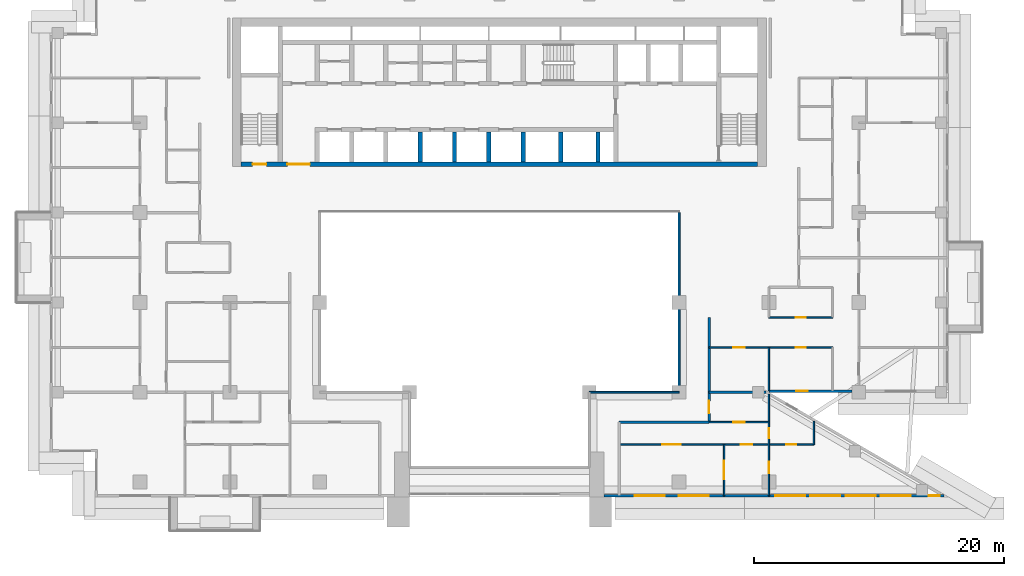
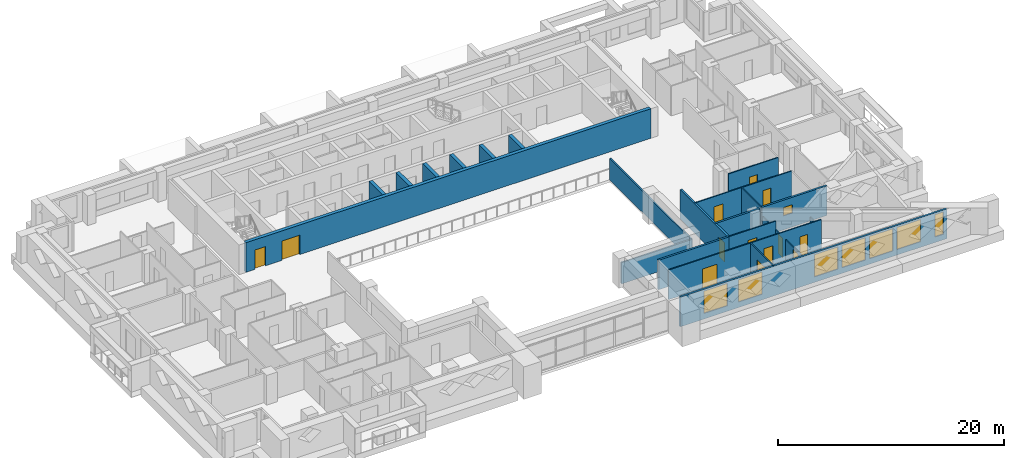
# One storey, part 8 of 19: 22 walls, 13 doors, 8 windows, 21 openings.
"""IFC4 building model written with IfcOpenShell, lengths in metres."""

from ifc_helpers import new_model, si_unit, direction, frame, frame_2d, origin, place, context, subcontext, project, spatial, rectangle, extrude, material, layer, layer_set, type_object, element, fill, save


model = new_model("IFC4")

# Units and contexts
model_context = context("Model", 3, precision=1e-05, world=origin(), true_north=direction((0.0, 1.0)))
body_context = subcontext(model_context, "Body", "Model", "MODEL_VIEW")
ifc_project = project(units=[si_unit("LENGTHUNIT", "METRE"), si_unit("AREAUNIT", "SQUARE_METRE"), si_unit("VOLUMEUNIT", "CUBIC_METRE"), si_unit("PLANEANGLEUNIT", "RADIAN"), si_unit("MASSUNIT", "GRAM", prefix="KILO")], contexts=[model_context])

# Site, building, storey
site_placement = place(None, origin())
site = spatial("IfcSite", under=ifc_project, at=site_placement, CompositionType="ELEMENT")
building_placement = place(site_placement, origin())
building = spatial("IfcBuilding", under=site, at=building_placement, Name="Saffron Iwan Residences", CompositionType="ELEMENT")
storey_placement = place(building_placement, frame((0.0, 0.0, 120.0)))
storey = spatial("IfcBuildingStorey", under=building, at=storey_placement, Name="L31", CompositionType="ELEMENT", Elevation=120.0)

# Walls
ifc_material_1 = material(Name="Fire-rated glazing", Category="glass")
ifc_layer_1 = layer(ifc_material_1, 0.14990234375)
ifc_layer_set_1 = layer_set([ifc_layer_1], Name="Fire-rated glazing")
wall_type_1 = type_object("IfcWallType", Name="Atrium glazed screen 150", PredefinedType="SOLIDWALL", material=ifc_layer_set_1)
wall_1_placement = place(storey_placement, frame((57.60009765625, 48.0, 0.0), z_axis=(0.0, 0.0, 1.0), x_axis=(1.0, 0.0, 0.0)))
element("IfcWall", 1, at=wall_1_placement, inside=storey, type_object=wall_type_1, Name="W-L31-SCREEN-h48-57.6", PredefinedType="SOLIDWALL", context=body_context, shape_type="SweptSolid", body=[
    extrude(rectangle(XDim=7.199951171875, YDim=0.14990234375, at=frame_2d((3.60009765625, 0.0))), origin(), (0.0, 0.0, 1.0), 2.300048828125),
])
wall_2_placement = place(storey_placement, frame((64.800048828125, 48.0, 0.0), z_axis=(0.0, 0.0, 1.0), x_axis=(0.0, 1.0, 0.0)))
element("IfcWall", 2, at=wall_2_placement, inside=storey, type_object=wall_type_1, Name="W-L31-SCREEN-v64.8-48", PredefinedType="SOLIDWALL", context=body_context, shape_type="SweptSolid", body=[
    extrude(rectangle(XDim=14.39990234375, YDim=0.14990234375, at=frame_2d((7.199951171875, 0.0))), origin(), (0.0, 0.0, 1.0), 2.300048828125),
])

# Wall, opening, window
ifc_material_2 = material(Name="Concrete C40/50", Category="concrete")
ifc_layer_2 = layer(ifc_material_2, 0.199951171875)
ifc_layer_set_2 = layer_set([ifc_layer_2], Name="Concrete C40/50")
wall_type_2 = type_object("IfcWallType", Name="EXTERNAL WALL 200", PredefinedType="SOLIDWALL", material=ifc_layer_set_2)
wall_3_placement = place(storey_placement, frame((71.989990234375, 48.10009765625, 0.0), z_axis=(0.0, 0.0, 1.0), x_axis=(1.0, 0.0, 0.0)))
wall_3 = element("IfcWall", 3, at=wall_3_placement, inside=storey, type_object=wall_type_2, Name="External wall L31 F1.0", PredefinedType="SOLIDWALL", context=body_context, shape_type="SweptSolid", body=[
    extrude(rectangle(XDim=6.659912109375, YDim=0.199951171875, at=frame_2d((3.330078125, 0.0))), origin(), (0.0, 0.0, 1.0), 3.199951171875),
])
opening_1_placement = place(wall_3_placement, frame((2.204833984375, 0.0, 1.5)))
opening_1 = element("IfcOpeningElement", 4, at=opening_1_placement, cuts=wall_3, Name="Opening W6", PredefinedType="OPENING", context=body_context, shape_type="SweptSolid", body=[
    extrude(rectangle(XDim=0.89990234375, YDim=0.89990234375, at=frame_2d((0.449951171875, 0.449951171875))), frame((0.0, 0.10986328125, 0.0), z_axis=(0.0, -1.0, 0.0), x_axis=(1.0, 0.0, 0.0)), (0.0, 0.0, 1.0), 0.219970703125),
])
ifc_material_3 = material(Name="Clear glass, laminated double glazed", Category="glass")
window_type_1 = type_object("IfcWindowType", Name="WINDOW 900 x 900 BATH", PartitioningType="SINGLE_PANEL", PredefinedType="WINDOW", material=ifc_material_3)
window_1_placement = place(opening_1_placement, origin())
window_1 = element("IfcWindow", 5, at=window_1_placement, inside=storey, type_object=window_type_1, Name="Window L31 F1.0", OverallHeight=0.89990234375, OverallWidth=0.89990234375, PartitioningType="SINGLE_PANEL", PredefinedType="WINDOW", context=body_context, shape_type="SweptSolid", body=[
    extrude(rectangle(XDim=0.89990234375, YDim=0.89990234375, at=frame_2d((0.449951171875, 0.449951171875))), frame((0.0, 0.030029296875, 0.0), z_axis=(0.0, -1.0, 0.0), x_axis=(1.0, 0.0, 0.0)), (0.0, 0.0, 1.0), 0.06005859375),
])
fill(opening_1, window_1)

# Wall, openings, windows
wall_4_placement = place(storey_placement, frame((58.800048828125, 39.699951171875, 0.0), z_axis=(0.0, 0.0, 1.0), x_axis=(1.0, 0.0, 0.0)))
wall_4 = element("IfcWall", 6, at=wall_4_placement, inside=storey, type_object=wall_type_2, Name="External wall L31 F11.1", PredefinedType="SOLIDWALL", context=body_context, shape_type="SweptSolid", body=[
    extrude(rectangle(XDim=27.22998046875, YDim=0.199951171875, at=frame_2d((13.614990234375, 0.0))), origin(), (0.0, 0.0, 1.0), 3.199951171875),
])
opening_2_placement = place(wall_4_placement, frame((2.433349609375, 0.0, 0.60009765625)))
opening_2 = element("IfcOpeningElement", 7, at=opening_2_placement, cuts=wall_4, Name="Opening W1", PredefinedType="OPENING", context=body_context, shape_type="SweptSolid", body=[
    extrude(rectangle(XDim=2.39990234375, YDim=2.39990234375, at=frame_2d((1.199951171875, 1.199951171875))), frame((0.0, 0.10986328125, 0.0), z_axis=(0.0, -1.0, 0.0), x_axis=(1.0, 0.0, 0.0)), (0.0, 0.0, 1.0), 0.219970703125),
])
opening_3_placement = place(wall_4_placement, frame((5.966796875, 0.0, 0.60009765625)))
opening_3 = element("IfcOpeningElement", 8, at=opening_3_placement, cuts=wall_4, Name="Opening W1", PredefinedType="OPENING", context=body_context, shape_type="SweptSolid", body=[
    extrude(rectangle(XDim=2.39990234375, YDim=2.39990234375, at=frame_2d((1.199951171875, 1.199951171875))), frame((0.0, 0.10986328125, 0.0), z_axis=(0.0, -1.0, 0.0), x_axis=(1.0, 0.0, 0.0)), (0.0, 0.0, 1.0), 0.219970703125),
])
opening_4_placement = place(wall_4_placement, frame((13.715087890625, 0.0, 0.60009765625)))
opening_4 = element("IfcOpeningElement", 9, at=opening_4_placement, cuts=wall_4, Name="Opening W1", PredefinedType="OPENING", context=body_context, shape_type="SweptSolid", body=[
    extrude(rectangle(XDim=2.39990234375, YDim=2.39990234375, at=frame_2d((1.199951171875, 1.199951171875))), frame((0.0, 0.10986328125, 0.0), z_axis=(0.0, -1.0, 0.0), x_axis=(1.0, 0.0, 0.0)), (0.0, 0.0, 1.0), 0.219970703125),
])
opening_5_placement = place(wall_4_placement, frame((16.530517578125, 0.0, 0.60009765625)))
opening_5 = element("IfcOpeningElement", 10, at=opening_5_placement, cuts=wall_4, Name="Opening W1", PredefinedType="OPENING", context=body_context, shape_type="SweptSolid", body=[
    extrude(rectangle(XDim=2.39990234375, YDim=2.39990234375, at=frame_2d((1.199951171875, 1.199951171875))), frame((0.0, 0.10986328125, 0.0), z_axis=(0.0, -1.0, 0.0), x_axis=(1.0, 0.0, 0.0)), (0.0, 0.0, 1.0), 0.219970703125),
])
opening_6_placement = place(wall_4_placement, frame((19.345703125, 0.0, 0.60009765625)))
opening_6 = element("IfcOpeningElement", 11, at=opening_6_placement, cuts=wall_4, Name="Opening W1", PredefinedType="OPENING", context=body_context, shape_type="SweptSolid", body=[
    extrude(rectangle(XDim=2.39990234375, YDim=2.39990234375, at=frame_2d((1.199951171875, 1.199951171875))), frame((0.0, 0.10986328125, 0.0), z_axis=(0.0, -1.0, 0.0), x_axis=(1.0, 0.0, 0.0)), (0.0, 0.0, 1.0), 0.219970703125),
])
opening_7_placement = place(wall_4_placement, frame((22.160888671875, 0.0, 0.60009765625)))
opening_7 = element("IfcOpeningElement", 12, at=opening_7_placement, cuts=wall_4, Name="Opening W1", PredefinedType="OPENING", context=body_context, shape_type="SweptSolid", body=[
    extrude(rectangle(XDim=2.39990234375, YDim=2.39990234375, at=frame_2d((1.199951171875, 1.199951171875))), frame((0.0, 0.10986328125, 0.0), z_axis=(0.0, -1.0, 0.0), x_axis=(1.0, 0.0, 0.0)), (0.0, 0.0, 1.0), 0.219970703125),
])
opening_8_placement = place(wall_4_placement, frame((26.003173828125, 0.0, 0.60009765625)))
opening_8 = element("IfcOpeningElement", 13, at=opening_8_placement, cuts=wall_4, Name="Opening W10", PredefinedType="OPENING", context=body_context, shape_type="SweptSolid", body=[
    extrude(rectangle(XDim=0.89990234375, YDim=2.39990234375, at=frame_2d((0.449951171875, 1.199951171875))), frame((0.0, 0.10986328125, 0.0), z_axis=(0.0, -1.0, 0.0), x_axis=(1.0, 0.0, 0.0)), (0.0, 0.0, 1.0), 0.219970703125),
])
window_type_2 = type_object("IfcWindowType", Name="WINDOW 2400 x 2400", PartitioningType="DOUBLE_PANEL_VERTICAL", PredefinedType="WINDOW", material=ifc_material_3)
window_2_placement = place(opening_2_placement, origin())
window_2 = element("IfcWindow", 14, at=window_2_placement, inside=storey, type_object=window_type_2, Name="Window L31 F11.0", OverallHeight=2.39990234375, OverallWidth=2.39990234375, PartitioningType="DOUBLE_PANEL_VERTICAL", PredefinedType="WINDOW", context=body_context, shape_type="SweptSolid", body=[
    extrude(rectangle(XDim=2.39990234375, YDim=2.39990234375, at=frame_2d((1.199951171875, 1.199951171875))), frame((0.0, 0.030029296875, 0.0), z_axis=(0.0, -1.0, 0.0), x_axis=(1.0, 0.0, 0.0)), (0.0, 0.0, 1.0), 0.06005859375),
])
fill(opening_2, window_2)
window_3_placement = place(opening_3_placement, origin())
window_3 = element("IfcWindow", 15, at=window_3_placement, inside=storey, type_object=window_type_2, Name="Window L31 F11.1", OverallHeight=2.39990234375, OverallWidth=2.39990234375, PartitioningType="DOUBLE_PANEL_VERTICAL", PredefinedType="WINDOW", context=body_context, shape_type="SweptSolid", body=[
    extrude(rectangle(XDim=2.39990234375, YDim=2.39990234375, at=frame_2d((1.199951171875, 1.199951171875))), frame((0.0, 0.030029296875, 0.0), z_axis=(0.0, -1.0, 0.0), x_axis=(1.0, 0.0, 0.0)), (0.0, 0.0, 1.0), 0.06005859375),
])
fill(opening_3, window_3)
window_4_placement = place(opening_4_placement, origin())
window_4 = element("IfcWindow", 16, at=window_4_placement, inside=storey, type_object=window_type_2, Name="Window L31 F11.2", OverallHeight=2.39990234375, OverallWidth=2.39990234375, PartitioningType="DOUBLE_PANEL_VERTICAL", PredefinedType="WINDOW", context=body_context, shape_type="SweptSolid", body=[
    extrude(rectangle(XDim=2.39990234375, YDim=2.39990234375, at=frame_2d((1.199951171875, 1.199951171875))), frame((0.0, 0.030029296875, 0.0), z_axis=(0.0, -1.0, 0.0), x_axis=(1.0, 0.0, 0.0)), (0.0, 0.0, 1.0), 0.06005859375),
])
fill(opening_4, window_4)
window_5_placement = place(opening_5_placement, origin())
window_5 = element("IfcWindow", 17, at=window_5_placement, inside=storey, type_object=window_type_2, Name="Window L31 F11.3", OverallHeight=2.39990234375, OverallWidth=2.39990234375, PartitioningType="DOUBLE_PANEL_VERTICAL", PredefinedType="WINDOW", context=body_context, shape_type="SweptSolid", body=[
    extrude(rectangle(XDim=2.39990234375, YDim=2.39990234375, at=frame_2d((1.199951171875, 1.199951171875))), frame((0.0, 0.030029296875, 0.0), z_axis=(0.0, -1.0, 0.0), x_axis=(1.0, 0.0, 0.0)), (0.0, 0.0, 1.0), 0.06005859375),
])
fill(opening_5, window_5)
window_6_placement = place(opening_6_placement, origin())
window_6 = element("IfcWindow", 18, at=window_6_placement, inside=storey, type_object=window_type_2, Name="Window L31 F11.4", OverallHeight=2.39990234375, OverallWidth=2.39990234375, PartitioningType="DOUBLE_PANEL_VERTICAL", PredefinedType="WINDOW", context=body_context, shape_type="SweptSolid", body=[
    extrude(rectangle(XDim=2.39990234375, YDim=2.39990234375, at=frame_2d((1.199951171875, 1.199951171875))), frame((0.0, 0.030029296875, 0.0), z_axis=(0.0, -1.0, 0.0), x_axis=(1.0, 0.0, 0.0)), (0.0, 0.0, 1.0), 0.06005859375),
])
fill(opening_6, window_6)
window_7_placement = place(opening_7_placement, origin())
window_7 = element("IfcWindow", 19, at=window_7_placement, inside=storey, type_object=window_type_2, Name="Window L31 F11.5", OverallHeight=2.39990234375, OverallWidth=2.39990234375, PartitioningType="DOUBLE_PANEL_VERTICAL", PredefinedType="WINDOW", context=body_context, shape_type="SweptSolid", body=[
    extrude(rectangle(XDim=2.39990234375, YDim=2.39990234375, at=frame_2d((1.199951171875, 1.199951171875))), frame((0.0, 0.030029296875, 0.0), z_axis=(0.0, -1.0, 0.0), x_axis=(1.0, 0.0, 0.0)), (0.0, 0.0, 1.0), 0.06005859375),
])
fill(opening_7, window_7)
window_type_3 = type_object("IfcWindowType", Name="WINDOW 900 x 2400", PartitioningType="SINGLE_PANEL", PredefinedType="WINDOW", material=ifc_material_3)
window_8_placement = place(opening_8_placement, origin())
window_8 = element("IfcWindow", 20, at=window_8_placement, inside=storey, type_object=window_type_3, Name="Window L31 F11.6", OverallHeight=2.39990234375, OverallWidth=0.89990234375, PartitioningType="SINGLE_PANEL", PredefinedType="WINDOW", context=body_context, shape_type="SweptSolid", body=[
    extrude(rectangle(XDim=0.89990234375, YDim=2.39990234375, at=frame_2d((0.449951171875, 1.199951171875))), frame((0.0, 0.030029296875, 0.0), z_axis=(0.0, -1.0, 0.0), x_axis=(1.0, 0.0, 0.0)), (0.0, 0.0, 1.0), 0.06005859375),
])
fill(opening_8, window_8)

# Wall
ifc_material_4 = material(Name="Fire-rated gypsum board wall")
ifc_layer_3 = layer(ifc_material_4, 0.199951171875)
ifc_layer_set_3 = layer_set([ifc_layer_3], Name="Fire-rated gypsum board wall")
wall_type_3 = type_object("IfcWallType", Name="Flat demising wall 200", PredefinedType="SOLIDWALL", material=ifc_layer_set_3)
wall_5_placement = place(storey_placement, frame((67.199951171875, 48.0, 0.0), z_axis=(0.0, 0.0, 1.0), x_axis=(1.0, 0.0, 0.0)))
element("IfcWall", 21, at=wall_5_placement, inside=storey, type_object=wall_type_3, Name="W-L31-DEMISE-h48-67.2", PredefinedType="SOLIDWALL", context=body_context, shape_type="SweptSolid", body=[
    extrude(rectangle(XDim=4.552001953125, YDim=0.199951171875, at=frame_2d((2.27587890625, 0.0))), origin(), (0.0, 0.0, 1.0), 3.199951171875),
])

# Wall, openings, doors
ifc_material_5 = material(Name="Gypsum board partition")
ifc_layer_4 = layer(ifc_material_5, 0.1201171875)
ifc_layer_set_4 = layer_set([ifc_layer_4], Name="Gypsum board partition")
wall_type_4 = type_object("IfcWallType", Name="Flat partition 120", PredefinedType="PARTITIONING", material=ifc_layer_set_4)
wall_6_placement = place(storey_placement, frame((60.0, 43.800048828125, 0.0), z_axis=(0.0, 0.0, 1.0), x_axis=(1.0, 0.0, 0.0)))
wall_6 = element("IfcWall", 22, at=wall_6_placement, inside=storey, type_object=wall_type_4, Name="W-L31-PART-h43.8-60", PredefinedType="PARTITIONING", context=body_context, shape_type="SweptSolid", body=[
    extrude(rectangle(XDim=15.60009765625, YDim=0.1201171875, at=frame_2d((7.800048828125, 0.0))), origin(), (0.0, 0.0, 1.0), 3.199951171875),
])
opening_9_placement = place(wall_6_placement, frame((9.75, 0.0, 0.0)))
opening_9 = element("IfcOpeningElement", 23, at=opening_9_placement, cuts=wall_6, Name="Opening FD2", PredefinedType="OPENING", context=body_context, shape_type="SweptSolid", body=[
    extrude(rectangle(XDim=0.89990234375, YDim=2.10009765625, at=frame_2d((0.449951171875, 1.050048828125))), frame((0.0, 0.070068359375, 0.0), z_axis=(0.0, -1.0, 0.0), x_axis=(1.0, 0.0, 0.0)), (0.0, 0.0, 1.0), 0.14013671875),
])
opening_10_placement = place(wall_6_placement, frame((3.449951171875, 0.0, 0.0)))
opening_10 = element("IfcOpeningElement", 24, at=opening_10_placement, cuts=wall_6, Name="Opening FD4", PredefinedType="OPENING", context=body_context, shape_type="SweptSolid", body=[
    extrude(rectangle(XDim=1.5, YDim=2.10009765625, at=frame_2d((0.75, 1.050048828125))), frame((0.0, 0.070068359375, 0.0), z_axis=(0.0, -1.0, 0.0), x_axis=(1.0, 0.0, 0.0)), (0.0, 0.0, 1.0), 0.14013671875),
])
opening_11_placement = place(wall_6_placement, frame((13.39990234375, 0.0, 0.0)))
opening_11 = element("IfcOpeningElement", 25, at=opening_11_placement, cuts=wall_6, Name="Opening FD3", PredefinedType="OPENING", context=body_context, shape_type="SweptSolid", body=[
    extrude(rectangle(XDim=0.800048828125, YDim=2.10009765625, at=frame_2d((0.39990234375, 1.050048828125))), frame((0.0, 0.070068359375, 0.0), z_axis=(0.0, -1.0, 0.0), x_axis=(1.0, 0.0, 0.0)), (0.0, 0.0, 1.0), 0.14013671875),
])
ifc_material_6 = material(Name="Timber door", Category="wood")
door_type_1 = type_object("IfcDoorType", Name="Bathroom door 800", OperationType="NOTDEFINED", PredefinedType="DOOR", material=ifc_material_6)
door_1_placement = place(opening_11_placement, origin())
door_1 = element("IfcDoor", 26, at=door_1_placement, inside=storey, type_object=door_type_1, Name="Door L31-045", OperationType="SINGLE_SWING_RIGHT", OverallHeight=2.10009765625, OverallWidth=0.800048828125, PredefinedType="DOOR", context=body_context, shape_type="SweptSolid", body=[
    extrude(rectangle(XDim=0.800048828125, YDim=2.10009765625, at=frame_2d((0.39990234375, 1.050048828125))), frame((0.0, 0.02490234375, 0.0), z_axis=(0.0, -1.0, 0.0), x_axis=(1.0, 0.0, 0.0)), (0.0, 0.0, 1.0), 0.050048828125),
])
fill(opening_11, door_1)
door_type_2 = type_object("IfcDoorType", Name="Double door 1500", OperationType="NOTDEFINED", PredefinedType="DOOR", material=ifc_material_6)
door_2_placement = place(opening_10_placement, origin())
door_2 = element("IfcDoor", 27, at=door_2_placement, inside=storey, type_object=door_type_2, Name="Door L31-042", OperationType="SINGLE_SWING_RIGHT", OverallHeight=2.10009765625, OverallWidth=1.5, PredefinedType="DOOR", context=body_context, shape_type="SweptSolid", body=[
    extrude(rectangle(XDim=1.5, YDim=2.10009765625, at=frame_2d((0.75, 1.050048828125))), frame((0.0, 0.02490234375, 0.0), z_axis=(0.0, -1.0, 0.0), x_axis=(1.0, 0.0, 0.0)), (0.0, 0.0, 1.0), 0.050048828125),
])
fill(opening_10, door_2)
door_type_3 = type_object("IfcDoorType", Name="Flat door 900", OperationType="NOTDEFINED", PredefinedType="DOOR", material=ifc_material_6)
door_3_placement = place(opening_9_placement, origin())
door_3 = element("IfcDoor", 28, at=door_3_placement, inside=storey, type_object=door_type_3, Name="Door L31-041", OperationType="SINGLE_SWING_LEFT", OverallHeight=2.10009765625, OverallWidth=0.89990234375, PredefinedType="DOOR", context=body_context, shape_type="SweptSolid", body=[
    extrude(rectangle(XDim=0.89990234375, YDim=2.10009765625, at=frame_2d((0.449951171875, 1.050048828125))), frame((0.0, 0.02490234375, 0.0), z_axis=(0.0, -1.0, 0.0), x_axis=(1.0, 0.0, 0.0)), (0.0, 0.0, 1.0), 0.050048828125),
])
fill(opening_9, door_3)

# Wall, opening, door
wall_7_placement = place(storey_placement, frame((67.199951171875, 45.60009765625, 0.0), z_axis=(0.0, 0.0, 1.0), x_axis=(1.0, 0.0, 0.0)))
wall_7 = element("IfcWall", 29, at=wall_7_placement, inside=storey, type_object=wall_type_4, Name="W-L31-PART-h45.6-67.2", PredefinedType="PARTITIONING", context=body_context, shape_type="SweptSolid", body=[
    extrude(rectangle(XDim=4.800048828125, YDim=0.1201171875, at=frame_2d((2.39990234375, 0.0))), origin(), (0.0, 0.0, 1.0), 3.199951171875),
])
opening_12_placement = place(wall_7_placement, frame((1.949951171875, 0.0, 0.0)))
opening_12 = element("IfcOpeningElement", 30, at=opening_12_placement, cuts=wall_7, Name="Opening FD2", PredefinedType="OPENING", context=body_context, shape_type="SweptSolid", body=[
    extrude(rectangle(XDim=0.89990234375, YDim=2.10009765625, at=frame_2d((0.449951171875, 1.050048828125))), frame((0.0, 0.070068359375, 0.0), z_axis=(0.0, -1.0, 0.0), x_axis=(1.0, 0.0, 0.0)), (0.0, 0.0, 1.0), 0.14013671875),
])
door_4_placement = place(opening_12_placement, origin())
door_4 = element("IfcDoor", 31, at=door_4_placement, inside=storey, type_object=door_type_3, Name="Door L31-039", OperationType="SINGLE_SWING_RIGHT", OverallHeight=2.10009765625, OverallWidth=0.89990234375, PredefinedType="DOOR", context=body_context, shape_type="SweptSolid", body=[
    extrude(rectangle(XDim=0.89990234375, YDim=2.10009765625, at=frame_2d((0.449951171875, 1.050048828125))), frame((0.0, 0.02490234375, 0.0), z_axis=(0.0, -1.0, 0.0), x_axis=(1.0, 0.0, 0.0)), (0.0, 0.0, 1.0), 0.050048828125),
])
fill(opening_12, door_4)

# Wall, openings, doors
wall_8_placement = place(storey_placement, frame((67.199951171875, 51.60009765625, 0.0), z_axis=(0.0, 0.0, 1.0), x_axis=(1.0, 0.0, 0.0)))
wall_8 = element("IfcWall", 32, at=wall_8_placement, inside=storey, type_object=wall_type_4, Name="W-L31-PART-h51.6-67.2", PredefinedType="PARTITIONING", context=body_context, shape_type="SweptSolid", body=[
    extrude(rectangle(XDim=9.900146484375, YDim=0.1201171875, at=frame_2d((4.9501953125, 0.0))), origin(), (0.0, 0.0, 1.0), 3.199951171875),
])
opening_13_placement = place(wall_8_placement, frame((6.949951171875, 0.0, 0.0)))
opening_13 = element("IfcOpeningElement", 33, at=opening_13_placement, cuts=wall_8, Name="Opening FD3", PredefinedType="OPENING", context=body_context, shape_type="SweptSolid", body=[
    extrude(rectangle(XDim=0.800048828125, YDim=2.10009765625, at=frame_2d((0.39990234375, 1.050048828125))), frame((0.0, 0.070068359375, 0.0), z_axis=(0.0, -1.0, 0.0), x_axis=(1.0, 0.0, 0.0)), (0.0, 0.0, 1.0), 0.14013671875),
])
opening_14_placement = place(wall_8_placement, frame((1.949951171875, 0.0, 0.0)))
opening_14 = element("IfcOpeningElement", 34, at=opening_14_placement, cuts=wall_8, Name="Opening FD2", PredefinedType="OPENING", context=body_context, shape_type="SweptSolid", body=[
    extrude(rectangle(XDim=0.89990234375, YDim=2.10009765625, at=frame_2d((0.449951171875, 1.050048828125))), frame((0.0, 0.070068359375, 0.0), z_axis=(0.0, -1.0, 0.0), x_axis=(1.0, 0.0, 0.0)), (0.0, 0.0, 1.0), 0.14013671875),
])
door_5_placement = place(opening_13_placement, origin())
door_5 = element("IfcDoor", 35, at=door_5_placement, inside=storey, type_object=door_type_1, Name="Door L31-019", OperationType="SINGLE_SWING_LEFT", OverallHeight=2.10009765625, OverallWidth=0.800048828125, PredefinedType="DOOR", context=body_context, shape_type="SweptSolid", body=[
    extrude(rectangle(XDim=0.800048828125, YDim=2.10009765625, at=frame_2d((0.39990234375, 1.050048828125))), frame((0.0, 0.02490234375, 0.0), z_axis=(0.0, -1.0, 0.0), x_axis=(1.0, 0.0, 0.0)), (0.0, 0.0, 1.0), 0.050048828125),
])
fill(opening_13, door_5)
door_6_placement = place(opening_14_placement, origin())
door_6 = element("IfcDoor", 36, at=door_6_placement, inside=storey, type_object=door_type_3, Name="Door L31-021", OperationType="SINGLE_SWING_RIGHT", OverallHeight=2.10009765625, OverallWidth=0.89990234375, PredefinedType="DOOR", context=body_context, shape_type="SweptSolid", body=[
    extrude(rectangle(XDim=0.89990234375, YDim=2.10009765625, at=frame_2d((0.449951171875, 1.050048828125))), frame((0.0, 0.02490234375, 0.0), z_axis=(0.0, -1.0, 0.0), x_axis=(1.0, 0.0, 0.0)), (0.0, 0.0, 1.0), 0.050048828125),
])
fill(opening_14, door_6)

# Wall, opening, door
wall_9_placement = place(storey_placement, frame((72.0, 54.0, 0.0), z_axis=(0.0, 0.0, 1.0), x_axis=(1.0, 0.0, 0.0)))
wall_9 = element("IfcWall", 37, at=wall_9_placement, inside=storey, type_object=wall_type_4, Name="W-L31-PART-h54-72", PredefinedType="PARTITIONING", context=body_context, shape_type="SweptSolid", body=[
    extrude(rectangle(XDim=5.10009765625, YDim=0.1201171875, at=frame_2d((2.550048828125, 0.0))), origin(), (0.0, 0.0, 1.0), 3.199951171875),
])
opening_15_placement = place(wall_9_placement, frame((2.14990234375, 0.0, 0.0)))
opening_15 = element("IfcOpeningElement", 38, at=opening_15_placement, cuts=wall_9, Name="Opening FD3", PredefinedType="OPENING", context=body_context, shape_type="SweptSolid", body=[
    extrude(rectangle(XDim=0.800048828125, YDim=2.10009765625, at=frame_2d((0.39990234375, 1.050048828125))), frame((0.0, 0.070068359375, 0.0), z_axis=(0.0, -1.0, 0.0), x_axis=(1.0, 0.0, 0.0)), (0.0, 0.0, 1.0), 0.14013671875),
])
door_7_placement = place(opening_15_placement, origin())
door_7 = element("IfcDoor", 39, at=door_7_placement, inside=storey, type_object=door_type_1, Name="Door L31-020", OperationType="SINGLE_SWING_LEFT", OverallHeight=2.10009765625, OverallWidth=0.800048828125, PredefinedType="DOOR", context=body_context, shape_type="SweptSolid", body=[
    extrude(rectangle(XDim=0.800048828125, YDim=2.10009765625, at=frame_2d((0.39990234375, 1.050048828125))), frame((0.0, 0.02490234375, 0.0), z_axis=(0.0, -1.0, 0.0), x_axis=(1.0, 0.0, 0.0)), (0.0, 0.0, 1.0), 0.050048828125),
])
fill(opening_15, door_7)

wall_10_placement = place(storey_placement, frame((68.39990234375, 39.72509765625, 0.0), z_axis=(0.0, 0.0, 1.0), x_axis=(0.0, 1.0, 0.0)))
wall_10 = element("IfcWall", 40, at=wall_10_placement, inside=storey, type_object=wall_type_4, Name="W-L31-PART-v68.4-39.725", PredefinedType="PARTITIONING", context=body_context, shape_type="SweptSolid", body=[
    extrude(rectangle(XDim=4.074951171875, YDim=0.1201171875, at=frame_2d((2.03759765625, 0.0))), origin(), (0.0, 0.0, 1.0), 3.199951171875),
])
opening_16_placement = place(wall_10_placement, frame((1.28759765625, 0.0, 0.0)))
opening_16 = element("IfcOpeningElement", 41, at=opening_16_placement, cuts=wall_10, Name="Opening FD4", PredefinedType="OPENING", context=body_context, shape_type="SweptSolid", body=[
    extrude(rectangle(XDim=1.5, YDim=2.10009765625, at=frame_2d((0.75, 1.050048828125))), frame((0.0, 0.070068359375, 0.0), z_axis=(0.0, -1.0, 0.0), x_axis=(1.0, 0.0, 0.0)), (0.0, 0.0, 1.0), 0.14013671875),
])
door_8_placement = place(opening_16_placement, origin())
door_8 = element("IfcDoor", 42, at=door_8_placement, inside=storey, type_object=door_type_2, Name="Door L31-038", OperationType="SINGLE_SWING_LEFT", OverallHeight=2.10009765625, OverallWidth=1.5, PredefinedType="DOOR", context=body_context, shape_type="SweptSolid", body=[
    extrude(rectangle(XDim=1.5, YDim=2.10009765625, at=frame_2d((0.75, 1.050048828125))), frame((0.0, 0.02490234375, 0.0), z_axis=(0.0, -1.0, 0.0), x_axis=(1.0, 0.0, 0.0)), (0.0, 0.0, 1.0), 0.050048828125),
])
fill(opening_16, door_8)

# Wall, openings, doors
wall_11_placement = place(storey_placement, frame((72.0, 39.72509765625, 0.0), z_axis=(0.0, 0.0, 1.0), x_axis=(0.0, 1.0, 0.0)))
wall_11 = element("IfcWall", 43, at=wall_11_placement, inside=storey, type_object=wall_type_4, Name="W-L31-PART-v72-39.725", PredefinedType="PARTITIONING", context=body_context, shape_type="SweptSolid", body=[
    extrude(rectangle(XDim=8.1298828125, YDim=0.1201171875, at=frame_2d((4.06494140625, 0.0))), origin(), (0.0, 0.0, 1.0), 2.300048828125),
])
opening_17_placement = place(wall_11_placement, frame((1.78759765625, 0.0, 0.0)))
opening_17 = element("IfcOpeningElement", 44, at=opening_17_placement, cuts=wall_11, Name="Opening FD2", PredefinedType="OPENING", context=body_context, shape_type="SweptSolid", body=[
    extrude(rectangle(XDim=0.89990234375, YDim=2.10009765625, at=frame_2d((0.449951171875, 1.050048828125))), frame((0.0, 0.070068359375, 0.0), z_axis=(0.0, -1.0, 0.0), x_axis=(1.0, 0.0, 0.0)), (0.0, 0.0, 1.0), 0.14013671875),
])
opening_18_placement = place(wall_11_placement, frame((4.574951171875, 0.0, 0.0)))
opening_18 = element("IfcOpeningElement", 45, at=opening_18_placement, cuts=wall_11, Name="Opening FD3", PredefinedType="OPENING", context=body_context, shape_type="SweptSolid", body=[
    extrude(rectangle(XDim=0.800048828125, YDim=2.10009765625, at=frame_2d((0.39990234375, 1.050048828125))), frame((0.0, 0.070068359375, 0.0), z_axis=(0.0, -1.0, 0.0), x_axis=(1.0, 0.0, 0.0)), (0.0, 0.0, 1.0), 0.14013671875),
])
door_9_placement = place(opening_18_placement, origin())
door_9 = element("IfcDoor", 46, at=door_9_placement, inside=storey, type_object=door_type_1, Name="Door L31-044", OperationType="SINGLE_SWING_LEFT", OverallHeight=2.10009765625, OverallWidth=0.800048828125, PredefinedType="DOOR", context=body_context, shape_type="SweptSolid", body=[
    extrude(rectangle(XDim=0.800048828125, YDim=2.10009765625, at=frame_2d((0.39990234375, 1.050048828125))), frame((0.0, 0.02490234375, 0.0), z_axis=(0.0, -1.0, 0.0), x_axis=(1.0, 0.0, 0.0)), (0.0, 0.0, 1.0), 0.050048828125),
])
fill(opening_18, door_9)
door_10_placement = place(opening_17_placement, origin())
door_10 = element("IfcDoor", 47, at=door_10_placement, inside=storey, type_object=door_type_3, Name="Door L31-043", OperationType="SINGLE_SWING_RIGHT", OverallHeight=2.10009765625, OverallWidth=0.89990234375, PredefinedType="DOOR", context=body_context, shape_type="SweptSolid", body=[
    extrude(rectangle(XDim=0.89990234375, YDim=2.10009765625, at=frame_2d((0.449951171875, 1.050048828125))), frame((0.0, 0.02490234375, 0.0), z_axis=(0.0, -1.0, 0.0), x_axis=(1.0, 0.0, 0.0)), (0.0, 0.0, 1.0), 0.050048828125),
])
fill(opening_17, door_10)

# Walls
wall_12_placement = place(storey_placement, frame((72.0, 48.125, 0.0), z_axis=(0.0, 0.0, 1.0), x_axis=(0.0, 1.0, 0.0)))
element("IfcWall", 48, at=wall_12_placement, inside=storey, type_object=wall_type_4, Name="W-L31-PART-v72-48.125", PredefinedType="PARTITIONING", context=body_context, shape_type="SweptSolid", body=[
    extrude(rectangle(XDim=3.47509765625, YDim=0.1201171875, at=frame_2d((1.737548828125, 0.0))), origin(), (0.0, 0.0, 1.0), 3.199951171875),
])
wall_13_placement = place(storey_placement, frame((75.60009765625, 43.800048828125, 0.0), z_axis=(0.0, 0.0, 1.0), x_axis=(0.0, 1.0, 0.0)))
element("IfcWall", 49, at=wall_13_placement, inside=storey, type_object=wall_type_4, Name="W-L31-PART-v75.6-43.8", PredefinedType="PARTITIONING", context=body_context, shape_type="SweptSolid", body=[
    extrude(rectangle(XDim=1.868408203125, YDim=0.1201171875, at=frame_2d((0.93408203125, 0.0))), origin(), (0.0, 0.0, 1.0), 2.300048828125),
])
ifc_layer_5 = layer(ifc_material_4, 0.199951171875)
ifc_layer_set_5 = layer_set([ifc_layer_5], Name="Fire-rated gypsum board wall")
wall_type_5 = type_object("IfcWallType", Name="Gallery wall 200", PredefinedType="SOLIDWALL", material=ifc_layer_set_5)
wall_14_placement = place(storey_placement, frame((60.0, 45.60009765625, 0.0), z_axis=(0.0, 0.0, 1.0), x_axis=(1.0, 0.0, 0.0)))
element("IfcWall", 50, at=wall_14_placement, inside=storey, type_object=wall_type_5, Name="W-L31-CORR-h45.6-60", PredefinedType="SOLIDWALL", context=body_context, shape_type="SweptSolid", body=[
    extrude(rectangle(XDim=7.199951171875, YDim=0.199951171875, at=frame_2d((3.60009765625, 0.0))), origin(), (0.0, 0.0, 1.0), 3.199951171875),
])

# Wall, opening, door
wall_15_placement = place(storey_placement, frame((67.199951171875, 45.60009765625, 0.0), z_axis=(0.0, 0.0, 1.0), x_axis=(0.0, 1.0, 0.0)))
wall_15 = element("IfcWall", 51, at=wall_15_placement, inside=storey, type_object=wall_type_5, Name="W-L31-CORR-v67.2-45.6", PredefinedType="SOLIDWALL", context=body_context, shape_type="SweptSolid", body=[
    extrude(rectangle(XDim=8.39990234375, YDim=0.199951171875, at=frame_2d((4.199951171875, 0.0))), origin(), (0.0, 0.0, 1.0), 3.199951171875),
])
opening_19_placement = place(wall_15_placement, frame((0.699951171875, 0.0, 0.0)))
opening_19 = element("IfcOpeningElement", 52, at=opening_19_placement, cuts=wall_15, Name="Opening FD5", PredefinedType="OPENING", context=body_context, shape_type="SweptSolid", body=[
    extrude(rectangle(XDim=1.0, YDim=2.10009765625, at=frame_2d((0.5, 1.050048828125))), frame((0.0, 0.10986328125, 0.0), z_axis=(0.0, -1.0, 0.0), x_axis=(1.0, 0.0, 0.0)), (0.0, 0.0, 1.0), 0.219970703125),
])
ifc_material_7 = material(Name="Fire-rated timber door", Category="wood")
door_type_4 = type_object("IfcDoorType", Name="Lobby door 1000", OperationType="NOTDEFINED", PredefinedType="DOOR", material=ifc_material_7)
door_11_placement = place(opening_19_placement, origin())
door_11 = element("IfcDoor", 53, at=door_11_placement, inside=storey, type_object=door_type_4, Name="Door L31-040", OperationType="SINGLE_SWING_LEFT", OverallHeight=2.10009765625, OverallWidth=1.0, PredefinedType="DOOR", context=body_context, shape_type="SweptSolid", body=[
    extrude(rectangle(XDim=1.0, YDim=2.10009765625, at=frame_2d((0.5, 1.050048828125))), frame((0.0, 0.02490234375, 0.0), z_axis=(0.0, -1.0, 0.0), x_axis=(1.0, 0.0, 0.0)), (0.0, 0.0, 1.0), 0.050048828125),
])
fill(opening_19, door_11)

# Wall, openings, doors
ifc_material_8 = material(Name="Concrete C50/60", Category="concrete")
ifc_layer_6 = layer(ifc_material_8, 0.35009765625)
ifc_layer_set_6 = layer_set([ifc_layer_6], Name="Concrete C50/60")
wall_type_6 = type_object("IfcWallType", Name="WALL CORE 350 C50/60 3200 HIGH", PredefinedType="SHEAR", material=ifc_layer_set_6)
wall_16_placement = place(storey_placement, frame((29.699951171875, 66.27490234375, 0.0), z_axis=(0.0, 0.0, 1.0), x_axis=(1.0, 0.0, 0.0)))
wall_16 = element("IfcWall", 54, at=wall_16_placement, inside=storey, type_object=wall_type_6, Name="Core wall", PredefinedType="SHEAR", context=body_context, shape_type="SweptSolid", body=[
    extrude(rectangle(XDim=41.400146484375, YDim=0.35009765625, at=frame_2d((20.7001953125, 0.0))), origin(), (0.0, 0.0, 1.0), 3.199951171875),
])
opening_20_placement = place(wall_16_placement, frame((0.925048828125, 0.0, 0.0)))
opening_20 = element("IfcOpeningElement", 55, at=opening_20_placement, cuts=wall_16, Name="Opening SD", PredefinedType="OPENING", context=body_context, shape_type="SweptSolid", body=[
    extrude(rectangle(XDim=1.10009765625, YDim=2.10009765625, at=frame_2d((0.550048828125, 1.050048828125))), frame((0.0, 0.18505859375, 0.0), z_axis=(0.0, -1.0, 0.0), x_axis=(1.0, 0.0, 0.0)), (0.0, 0.0, 1.0), 0.3701171875),
])
opening_21_placement = place(wall_16_placement, frame((3.71240234375, 0.0, 0.0)))
opening_21 = element("IfcOpeningElement", 56, at=opening_21_placement, cuts=wall_16, Name="Opening DD", PredefinedType="OPENING", context=body_context, shape_type="SweptSolid", body=[
    extrude(rectangle(XDim=1.800048828125, YDim=2.10009765625, at=frame_2d((0.89990234375, 1.050048828125))), frame((0.0, 0.18505859375, 0.0), z_axis=(0.0, -1.0, 0.0), x_axis=(1.0, 0.0, 0.0)), (0.0, 0.0, 1.0), 0.3701171875),
])
ifc_material_9 = material(Name="Steel fire door", Category="steel")
door_type_5 = type_object("IfcDoorType", Name="Lobby double door 1800", OperationType="DOUBLE_DOOR_SINGLE_SWING", PredefinedType="DOOR", material=ifc_material_9)
door_12_placement = place(opening_21_placement, origin())
door_12 = element("IfcDoor", 57, at=door_12_placement, inside=storey, type_object=door_type_5, Name="Lobby doors", OperationType="DOUBLE_DOOR_SINGLE_SWING", OverallHeight=2.10009765625, OverallWidth=1.800048828125, PredefinedType="DOOR", context=body_context, shape_type="SweptSolid", body=[
    extrude(rectangle(XDim=1.800048828125, YDim=2.10009765625, at=frame_2d((0.89990234375, 1.050048828125))), frame((0.0, 0.02490234375, 0.0), z_axis=(0.0, -1.0, 0.0), x_axis=(1.0, 0.0, 0.0)), (0.0, 0.0, 1.0), 0.050048828125),
])
fill(opening_21, door_12)
door_type_6 = type_object("IfcDoorType", Name="Stair door 1100", OperationType="NOTDEFINED", PredefinedType="DOOR", material=ifc_material_9)
door_13_placement = place(opening_20_placement, origin())
door_13 = element("IfcDoor", 58, at=door_13_placement, inside=storey, type_object=door_type_6, Name="Stair door ST-W", OperationType="SINGLE_SWING_LEFT", OverallHeight=2.10009765625, OverallWidth=1.10009765625, PredefinedType="DOOR", context=body_context, shape_type="SweptSolid", body=[
    extrude(rectangle(XDim=1.10009765625, YDim=2.10009765625, at=frame_2d((0.550048828125, 1.050048828125))), frame((0.0, 0.02490234375, 0.0), z_axis=(0.0, -1.0, 0.0), x_axis=(1.0, 0.0, 0.0)), (0.0, 0.0, 1.0), 0.050048828125),
])
fill(opening_20, door_13)

# Walls
for number, where, z_axis, x_axis, name in (
    (59, (44.050048828125, 66.449951171875, 0.0), (0.0, 0.0, 1.0), (0.0, 1.0, 0.0), "Core wall"),
    (60, (46.800048828125, 66.449951171875, 0.0), (0.0, 0.0, 1.0), (0.0, 1.0, 0.0), "Core wall"),
    (61, (49.550048828125, 66.449951171875, 0.0), (0.0, 0.0, 1.0), (0.0, 1.0, 0.0), "Core wall"),
    (62, (52.300048828125, 66.449951171875, 0.0), (0.0, 0.0, 1.0), (0.0, 1.0, 0.0), "Core wall"),
    (63, (55.300048828125, 66.449951171875, 0.0), (0.0, 0.0, 1.0), (0.0, 1.0, 0.0), "Core wall"),
    (64, (58.300048828125, 66.449951171875, 0.0), (0.0, 0.0, 1.0), (0.0, 1.0, 0.0), "Core wall"),
):
    element("IfcWall", number, at=place(storey_placement, frame(where, z_axis=z_axis, x_axis=x_axis)), inside=storey, type_object=wall_type_6, Name=name, PredefinedType="SHEAR", context=body_context, shape_type="SweptSolid", body=[
        extrude(rectangle(XDim=2.425048828125, YDim=0.35009765625, at=frame_2d((1.21240234375, 0.0))), origin(), (0.0, 0.0, 1.0), 3.199951171875),
    ])

save(model, "model.ifc")
